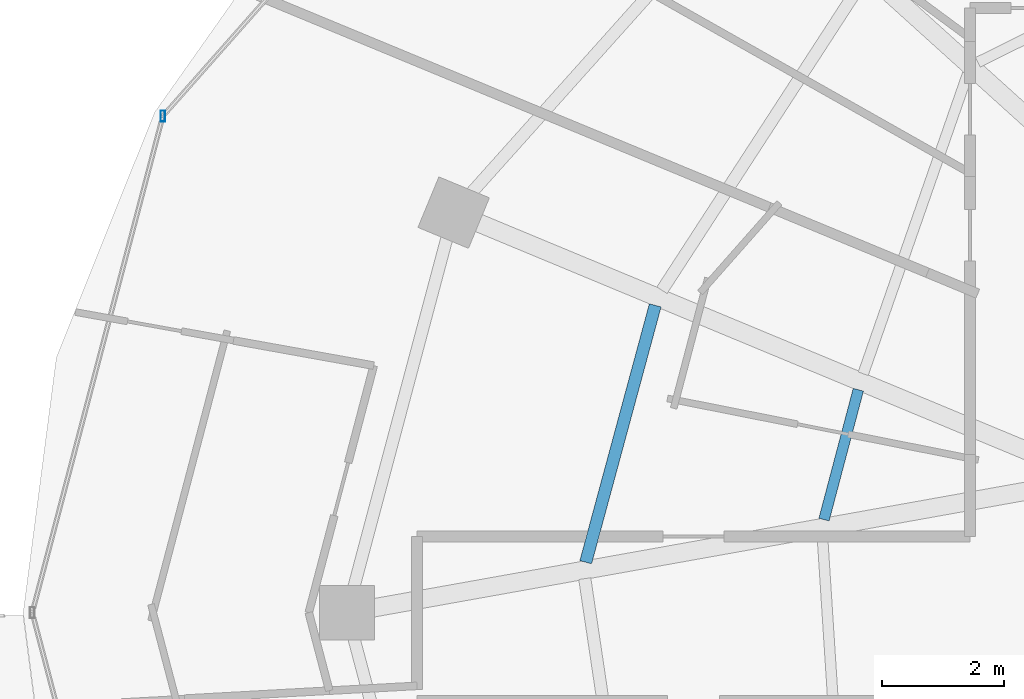
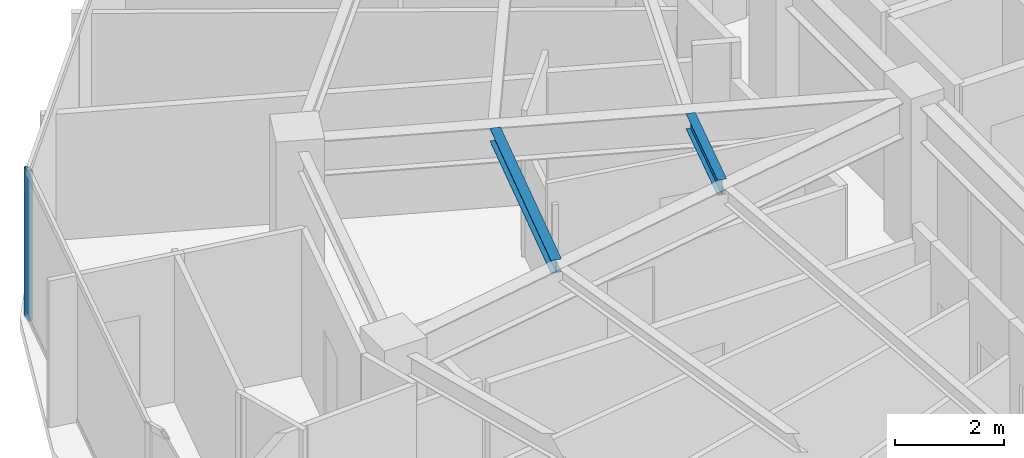
# One storey, part 9 of 33: 2 beams, 1 member, 1 element without a shape of its own.
"""IFC4 building model written with IfcOpenShell, lengths in metres."""

from ifc_helpers import new_model, si_unit, direction, frame, origin, origin_2d, place, context, subcontext, project, spatial, hollow_rectangle, i_section, extrude, material, material_profile, profile_set, type_object, element, aggregate, save


model = new_model("IFC4")

# Units and contexts
model_context = context("Model", 3, precision=1e-05, world=origin(), true_north=direction((0.0, 1.0)))
body_context = subcontext(model_context, "Body", "Model", "MODEL_VIEW")
ifc_project = project(units=[si_unit("LENGTHUNIT", "METRE"), si_unit("AREAUNIT", "SQUARE_METRE"), si_unit("VOLUMEUNIT", "CUBIC_METRE"), si_unit("PLANEANGLEUNIT", "RADIAN"), si_unit("MASSUNIT", "GRAM", prefix="KILO")], contexts=[model_context])

# Site, building, storey
site_placement = place(None, origin())
site = spatial("IfcSite", under=ifc_project, at=site_placement, CompositionType="ELEMENT")
building_placement = place(site_placement, origin())
building = spatial("IfcBuilding", under=site, at=building_placement, Name="Vorneva Point Tower", CompositionType="ELEMENT")
storey_placement = place(building_placement, frame((0.0, 0.0, 217.85009765625)))
storey = spatial("IfcBuildingStorey", under=building, at=storey_placement, Name="L59", CompositionType="ELEMENT", Elevation=217.85009765625)

# Beams
ifc_material_1 = material(Name="Steel S355", Category="steel")
ifc_material_profile_1 = material_profile(ifc_material_1, i_section(OverallWidth=0.199951171875, OverallDepth=0.291015625, WebThickness=0.008056640625, FlangeThickness=0.010986328125, at=origin_2d()), Name="30Sh1")
ifc_profile_set_1 = profile_set([ifc_material_profile_1], Name="Steel S355")
beam_type_1 = type_object("IfcBeamType", Name="BM-SEC-30Sh1", PredefinedType="BEAM", material=ifc_profile_set_1)
beam_1_placement = place(storey_placement, frame((20.02099609375, 31.055908203125, 3.144287109375), z_axis=(-0.26115898647, -0.965295801185, 0.0), x_axis=(0.965295801185, -0.26115898647, 0.0)))
element("IfcBeam", 1, at=beam_1_placement, inside=storey, type_object=beam_type_1, Name="L59 Secondary Floor Beam 1.08", PredefinedType="BEAM", context=body_context, shape_type="SweptSolid", body=[
    extrude(i_section(OverallWidth=0.199951171875, OverallDepth=0.291015625, WebThickness=0.008056640625, FlangeThickness=0.010986328125, at=origin_2d()), origin(), (0.0, 0.0, 1.0), 4.378662109375),
])
ifc_material_profile_2 = material_profile(ifc_material_1, i_section(OverallWidth=0.174072265625, OverallDepth=0.345947265625, WebThickness=0.006103515625, FlangeThickness=0.009033203125, at=origin_2d()), Name="35B1")
ifc_profile_set_2 = profile_set([ifc_material_profile_2], Name="Steel S355")
beam_type_2 = type_object("IfcBeamType", Name="BM-SEC-35B1", PredefinedType="BEAM", material=ifc_profile_set_2)
beam_2_placement = place(storey_placement, frame((23.363037109375, 29.667236328125, 3.116943359375), z_axis=(-0.255537260645, -0.966799207913, 0.0), x_axis=(0.966799207913, -0.255537260645, 0.0)))
element("IfcBeam", 2, at=beam_2_placement, inside=storey, type_object=beam_type_2, Name="L59 Secondary Floor Beam 2.08", PredefinedType="BEAM", context=body_context, shape_type="SweptSolid", body=[
    extrude(i_section(OverallWidth=0.174072265625, OverallDepth=0.345947265625, WebThickness=0.006103515625, FlangeThickness=0.009033203125, at=origin_2d()), origin(), (0.0, 0.0, 1.0), 2.2099609375),
])

# Curtain wall, member
ifc_material_2 = material(Name="Pale anodised aluminium", Category="aluminium")
curtain_wall_type = type_object("IfcCurtainWallType", Name="CW-RES-SYS", PredefinedType="NOTDEFINED", material=ifc_material_2)
curtain_wall_placement = place(storey_placement, origin())
curtain_wall = element("IfcCurtainWall", 3, at=curtain_wall_placement, inside=storey, type_object=curtain_wall_type, Name="L59 Unitised Curtain Wall CW-L59-R02", PredefinedType="NOTDEFINED")
ifc_material_profile_3 = material_profile(ifc_material_2, hollow_rectangle(XDim=0.074951171875, YDim=0.179931640625, WallThickness=0.00390625, at=origin_2d()), Name="AL-MUL 180x75x4")
ifc_profile_set_3 = profile_set([ifc_material_profile_3], Name="Pale anodised aluminium")
member_type = type_object("IfcMemberType", Name="CW-MUL-180", PredefinedType="MULLION", material=ifc_profile_set_3)
member_placement = place(storey_placement, frame((11.9189453125, 34.17041015625, -0.0400390625), z_axis=(0.0, 0.0, 1.0), x_axis=(1.0, 0.0, 0.0)))
member = element("IfcMember", 4, at=member_placement, type_object=member_type, Name="CW-L59-R02 Mullion 02", PredefinedType="MULLION", context=body_context, shape_type="SweptSolid", body=[
    extrude(hollow_rectangle(XDim=0.074951171875, YDim=0.179931640625, WallThickness=0.00390625, at=origin_2d()), origin(), (0.0, 0.0, 1.0), 3.35986328125),
])
aggregate(curtain_wall, [member])

save(model, "model.ifc")
